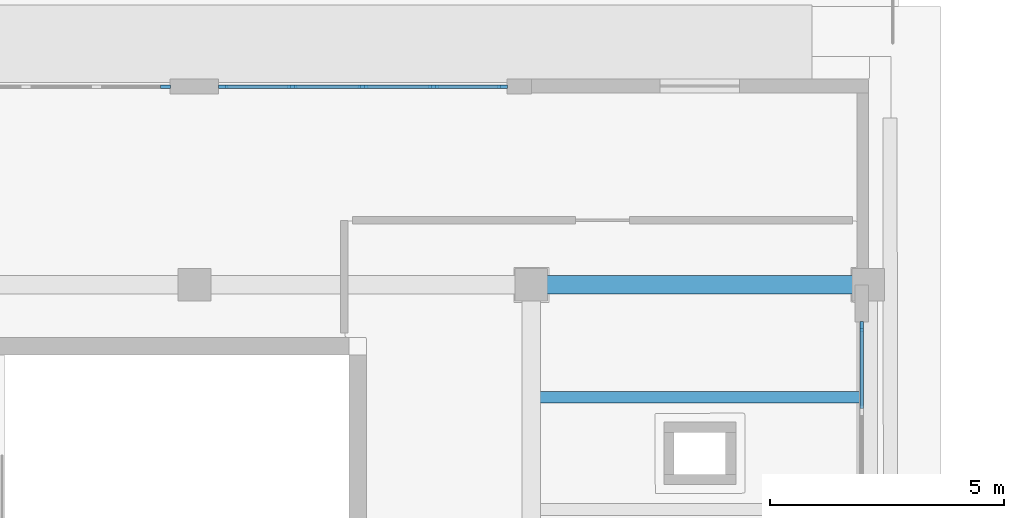
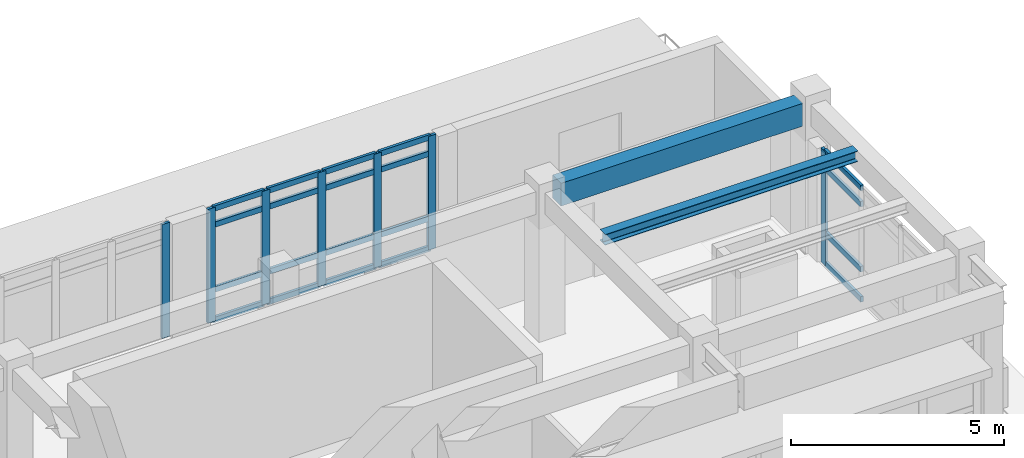
# One storey, part 21 of 55: 27 members, 2 beams, 3 elements without a shape of their own.
"""IFC4 building model written with IfcOpenShell, lengths in metres."""

from ifc_helpers import new_model, si_unit, direction, frame, origin, origin_2d, place, context, subcontext, project, spatial, rectangle, i_section, extrude, material, layer, layer_set, material_profile, profile_set, type_object, element, aggregate, save


model = new_model("IFC4")

# Units and contexts
model_context = context("Model", 3, precision=1e-05, world=origin(), true_north=direction((0.0, 1.0)))
body_context = subcontext(model_context, "Body", "Model", "MODEL_VIEW")
ifc_project = project(units=[si_unit("LENGTHUNIT", "METRE"), si_unit("AREAUNIT", "SQUARE_METRE"), si_unit("VOLUMEUNIT", "CUBIC_METRE"), si_unit("PLANEANGLEUNIT", "RADIAN"), si_unit("MASSUNIT", "GRAM", prefix="KILO")], contexts=[model_context])

# Site, building, storey
site_placement = place(None, origin())
site = spatial("IfcSite", under=ifc_project, at=site_placement, CompositionType="ELEMENT")
building_placement = place(site_placement, origin())
building = spatial("IfcBuilding", under=site, at=building_placement, Name="Solenvale Faculty of Natural Sciences", CompositionType="ELEMENT")
storey_placement = place(building_placement, frame((0.0, 0.0, 22.5)))
storey = spatial("IfcBuildingStorey", under=building, at=storey_placement, Name="L05", CompositionType="ELEMENT", Elevation=22.5)

# Beams
ifc_material_1 = material(Name="Concrete 40 MPa", Category="concrete")
ifc_material_profile_1 = material_profile(ifc_material_1, rectangle(XDim=0.39990234375, YDim=0.64990234375, at=origin_2d()), Name="RC-BM-400x650")
ifc_profile_set_1 = profile_set([ifc_material_profile_1], Name="Concrete 40 MPa")
beam_type_1 = type_object("IfcBeamType", Name="BM-RC-400x650", PredefinedType="BEAM", material=ifc_profile_set_1)
beam_1_placement = place(storey_placement, frame((108.330078125, 28.800048828125, 3.89501953125), z_axis=(1.0, 0.0, 0.0), x_axis=(0.0, 1.0, 0.0)))
element("IfcBeam", 1, at=beam_1_placement, inside=storey, type_object=beam_type_1, Name="L05 X-Girder Y28.8 (108.0..115.2)", PredefinedType="BEAM", context=body_context, shape_type="SweptSolid", body=[
    extrude(rectangle(XDim=0.39990234375, YDim=0.64990234375, at=origin_2d()), origin(), (0.0, 0.0, 1.0), 6.5400390625),
])
ifc_material_2 = material(Name="Steel S355", Category="steel")
ifc_material_profile_2 = material_profile(ifc_material_2, i_section(OverallWidth=0.25390625, OverallDepth=0.305908203125, WebThickness=0.0087890625, FlangeThickness=0.0146484375, FilletRadius=0.014892578125, at=origin_2d()), Name="W310x79")
ifc_profile_set_2 = profile_set([ifc_material_profile_2], Name="Steel S355")
beam_type_2 = type_object("IfcBeamType", Name="BM-STL-W310x79", PredefinedType="JOIST", material=ifc_profile_set_2)
beam_2_placement = place(storey_placement, frame((108.179931640625, 26.39990234375, 4.06689453125), z_axis=(1.0, 0.0, 0.0), x_axis=(0.0, 1.0, 0.0)))
element("IfcBeam", 2, at=beam_2_placement, inside=storey, type_object=beam_type_2, Name="L05 Composite Floor Joist (16,4).2", PredefinedType="JOIST", context=body_context, shape_type="SweptSolid", body=[
    extrude(i_section(OverallWidth=0.25390625, OverallDepth=0.305908203125, WebThickness=0.0087890625, FlangeThickness=0.0146484375, FilletRadius=0.014892578125, at=origin_2d()), origin(), (0.0, 0.0, 1.0), 6.840087890625),
])

# Curtain wall, member
ifc_material_3 = material(Name="Anodised bronze aluminium", Category="aluminium")
ifc_layer_1 = layer(ifc_material_3, 0.179931640625)
ifc_layer_set_1 = layer_set([ifc_layer_1], Name="Anodised bronze aluminium")
curtain_wall_type_1 = type_object("IfcCurtainWallType", Name="CW-TWR-MOD", PredefinedType="USERDEFINED", material=ifc_layer_set_1)
curtain_wall_1_placement = place(storey_placement, origin())
curtain_wall_1 = element("IfcCurtainWall", 3, at=curtain_wall_1_placement, inside=storey, type_object=curtain_wall_type_1, Name="L05 Curtain Wall CW-L05-P1-E1-B2", ObjectType="UNITISED CURTAIN WALL", PredefinedType="USERDEFINED")
ifc_material_profile_3 = material_profile(ifc_material_3, rectangle(XDim=0.074951171875, YDim=0.2099609375, at=origin_2d()), Name="ALU-MUL-75x210")
ifc_profile_set_3 = profile_set([ifc_material_profile_3], Name="Anodised bronze aluminium")
member_type_1 = type_object("IfcMemberType", Name="CWM-ALU-75x210", PredefinedType="MULLION", material=ifc_profile_set_3)
member_1_placement = place(storey_placement, frame((115.0576171875, 27.91259765625, 0.0), z_axis=(0.0, 0.0, 1.0), x_axis=(-1.0, 0.0, 0.0)))
member_1 = element("IfcMember", 4, at=member_1_placement, type_object=member_type_1, Name="CW-04 mullion 4", PredefinedType="MULLION", context=body_context, shape_type="SweptSolid", body=[
    extrude(rectangle(XDim=0.074951171875, YDim=0.2099609375, at=origin_2d()), origin(), (0.0, 0.0, 1.0), 3.260009765625),
])

# Curtain wall, members
ifc_layer_2 = layer(ifc_material_3, 0.18994140625)
ifc_layer_set_2 = layer_set([ifc_layer_2], Name="Anodised bronze aluminium")
curtain_wall_type_2 = type_object("IfcCurtainWallType", Name="CW-TRAY-REC", PredefinedType="USERDEFINED", material=ifc_layer_set_2)
curtain_wall_2_placement = place(storey_placement, origin())
curtain_wall_2 = element("IfcCurtainWall", 5, at=curtain_wall_2_placement, inside=storey, type_object=curtain_wall_type_2, Name="L05 Curtain Wall CW-L05-P1-E2-B2", ObjectType="UNITISED CURTAIN WALL", PredefinedType="USERDEFINED")
member_2_placement = place(storey_placement, frame((107.382568359375, 33.03759765625, 0.0), z_axis=(0.0, 0.0, 1.0), x_axis=(0.0, -1.0, 0.0)))
member_2 = element("IfcMember", 6, at=member_2_placement, type_object=member_type_1, Name="CW-02 mullion 1", PredefinedType="MULLION", context=body_context, shape_type="SweptSolid", body=[
    extrude(rectangle(XDim=0.074951171875, YDim=0.2099609375, at=origin_2d()), origin(), (0.0, 0.0, 1.0), 3.260009765625),
])
member_3_placement = place(storey_placement, frame((105.909912109375, 33.03759765625, 0.0), z_axis=(0.0, 0.0, 1.0), x_axis=(0.0, -1.0, 0.0)))
member_3 = element("IfcMember", 7, at=member_3_placement, type_object=member_type_1, Name="CW-02 mullion 2", PredefinedType="MULLION", context=body_context, shape_type="SweptSolid", body=[
    extrude(rectangle(XDim=0.074951171875, YDim=0.2099609375, at=origin_2d()), origin(), (0.0, 0.0, 1.0), 3.260009765625),
])
member_4_placement = place(storey_placement, frame((104.39990234375, 33.03759765625, 0.0), z_axis=(0.0, 0.0, 1.0), x_axis=(0.0, -1.0, 0.0)))
member_4 = element("IfcMember", 8, at=member_4_placement, type_object=member_type_1, Name="CW-02 mullion 3", PredefinedType="MULLION", context=body_context, shape_type="SweptSolid", body=[
    extrude(rectangle(XDim=0.074951171875, YDim=0.2099609375, at=origin_2d()), origin(), (0.0, 0.0, 1.0), 3.260009765625),
])
member_5_placement = place(storey_placement, frame((102.889892578125, 33.03759765625, 0.0), z_axis=(0.0, 0.0, 1.0), x_axis=(0.0, -1.0, 0.0)))
member_5 = element("IfcMember", 9, at=member_5_placement, type_object=member_type_1, Name="CW-02 mullion 4", PredefinedType="MULLION", context=body_context, shape_type="SweptSolid", body=[
    extrude(rectangle(XDim=0.074951171875, YDim=0.2099609375, at=origin_2d()), origin(), (0.0, 0.0, 1.0), 3.260009765625),
])
member_6_placement = place(storey_placement, frame((101.41748046875, 33.03759765625, 0.0), z_axis=(0.0, 0.0, 1.0), x_axis=(0.0, -1.0, 0.0)))
member_6 = element("IfcMember", 10, at=member_6_placement, type_object=member_type_1, Name="CW-02 mullion 5", PredefinedType="MULLION", context=body_context, shape_type="SweptSolid", body=[
    extrude(rectangle(XDim=0.074951171875, YDim=0.2099609375, at=origin_2d()), origin(), (0.0, 0.0, 1.0), 3.260009765625),
])

# Curtain wall, member
curtain_wall_3_placement = place(storey_placement, origin())
curtain_wall_3 = element("IfcCurtainWall", 11, at=curtain_wall_3_placement, inside=storey, type_object=curtain_wall_type_2, Name="L05 Curtain Wall CW-L05-P1-E2-B3", ObjectType="UNITISED CURTAIN WALL", PredefinedType="USERDEFINED")
member_7_placement = place(storey_placement, frame((100.1826171875, 33.03759765625, 0.0), z_axis=(0.0, 0.0, 1.0), x_axis=(0.0, -1.0, 0.0)))
member_7 = element("IfcMember", 12, at=member_7_placement, type_object=member_type_1, Name="CW-02 mullion 1", PredefinedType="MULLION", context=body_context, shape_type="SweptSolid", body=[
    extrude(rectangle(XDim=0.074951171875, YDim=0.2099609375, at=origin_2d()), origin(), (0.0, 0.0, 1.0), 3.260009765625),
])
aggregate(curtain_wall_3, [member_7])

# Member
ifc_material_profile_4 = material_profile(ifc_material_3, rectangle(XDim=0.074951171875, YDim=0.155029296875, at=origin_2d()), Name="ALU-TRN-75x155")
ifc_profile_set_4 = profile_set([ifc_material_profile_4], Name="Anodised bronze aluminium")
member_type_2 = type_object("IfcMemberType", Name="CWT-ALU-75x155", PredefinedType="USERDEFINED", material=ifc_profile_set_4)
member_8_placement = place(storey_placement, frame((115.0576171875, 26.154052734375, 0.03759765625), z_axis=(0.0, 1.0, 0.0), x_axis=(-1.0, 0.0, 0.0)))
member_8 = element("IfcMember", 13, at=member_8_placement, type_object=member_type_2, Name="CW-04 transom 3.1", ObjectType="TRANSOM", PredefinedType="USERDEFINED", context=body_context, shape_type="SweptSolid", body=[
    extrude(rectangle(XDim=0.074951171875, YDim=0.155029296875, at=origin_2d()), origin(), (0.0, 0.0, 1.0), 1.720947265625),
])

member_9_placement = place(storey_placement, frame((115.0576171875, 26.154052734375, 0.89990234375), z_axis=(0.0, 1.0, 0.0), x_axis=(-1.0, 0.0, 0.0)))
member_9 = element("IfcMember", 14, at=member_9_placement, type_object=member_type_2, Name="CW-04 transom 3.2", ObjectType="TRANSOM", PredefinedType="USERDEFINED", context=body_context, shape_type="SweptSolid", body=[
    extrude(rectangle(XDim=0.074951171875, YDim=0.155029296875, at=origin_2d()), origin(), (0.0, 0.0, 1.0), 1.720947265625),
])

member_10_placement = place(storey_placement, frame((115.0576171875, 26.154052734375, 2.760009765625), z_axis=(0.0, 1.0, 0.0), x_axis=(-1.0, 0.0, 0.0)))
member_10 = element("IfcMember", 15, at=member_10_placement, type_object=member_type_2, Name="CW-04 transom 3.3", ObjectType="TRANSOM", PredefinedType="USERDEFINED", context=body_context, shape_type="SweptSolid", body=[
    extrude(rectangle(XDim=0.074951171875, YDim=0.155029296875, at=origin_2d()), origin(), (0.0, 0.0, 1.0), 1.720947265625),
])

member_11_placement = place(storey_placement, frame((115.0576171875, 26.154052734375, 3.222412109375), z_axis=(0.0, 1.0, 0.0), x_axis=(-1.0, 0.0, 0.0)))
member_11 = element("IfcMember", 16, at=member_11_placement, type_object=member_type_2, Name="CW-04 transom 3.4", ObjectType="TRANSOM", PredefinedType="USERDEFINED", context=body_context, shape_type="SweptSolid", body=[
    extrude(rectangle(XDim=0.074951171875, YDim=0.155029296875, at=origin_2d()), origin(), (0.0, 0.0, 1.0), 1.720947265625),
])

aggregate(curtain_wall_1, [member_1, member_8, member_9, member_10, member_11])

member_12_placement = place(storey_placement, frame((107.344970703125, 33.03759765625, 0.03759765625), z_axis=(-1.0, 0.0, 0.0), x_axis=(0.0, -1.0, 0.0)))
member_12 = element("IfcMember", 17, at=member_12_placement, type_object=member_type_2, Name="CW-02 transom 1.1", ObjectType="TRANSOM", PredefinedType="USERDEFINED", context=body_context, shape_type="SweptSolid", body=[
    extrude(rectangle(XDim=0.074951171875, YDim=0.155029296875, at=origin_2d()), origin(), (0.0, 0.0, 1.0), 1.3974609375),
])

member_13_placement = place(storey_placement, frame((107.344970703125, 33.03759765625, 0.89990234375), z_axis=(-1.0, 0.0, 0.0), x_axis=(0.0, -1.0, 0.0)))
member_13 = element("IfcMember", 18, at=member_13_placement, type_object=member_type_2, Name="CW-02 transom 1.2", ObjectType="TRANSOM", PredefinedType="USERDEFINED", context=body_context, shape_type="SweptSolid", body=[
    extrude(rectangle(XDim=0.074951171875, YDim=0.155029296875, at=origin_2d()), origin(), (0.0, 0.0, 1.0), 1.3974609375),
])

member_14_placement = place(storey_placement, frame((107.344970703125, 33.03759765625, 2.760009765625), z_axis=(-1.0, 0.0, 0.0), x_axis=(0.0, -1.0, 0.0)))
member_14 = element("IfcMember", 19, at=member_14_placement, type_object=member_type_2, Name="CW-02 transom 1.3", ObjectType="TRANSOM", PredefinedType="USERDEFINED", context=body_context, shape_type="SweptSolid", body=[
    extrude(rectangle(XDim=0.074951171875, YDim=0.155029296875, at=origin_2d()), origin(), (0.0, 0.0, 1.0), 1.3974609375),
])

member_15_placement = place(storey_placement, frame((107.344970703125, 33.03759765625, 3.222412109375), z_axis=(-1.0, 0.0, 0.0), x_axis=(0.0, -1.0, 0.0)))
member_15 = element("IfcMember", 20, at=member_15_placement, type_object=member_type_2, Name="CW-02 transom 1.4", ObjectType="TRANSOM", PredefinedType="USERDEFINED", context=body_context, shape_type="SweptSolid", body=[
    extrude(rectangle(XDim=0.074951171875, YDim=0.155029296875, at=origin_2d()), origin(), (0.0, 0.0, 1.0), 1.3974609375),
])

member_16_placement = place(storey_placement, frame((105.87255859375, 33.03759765625, 0.03759765625), z_axis=(-1.0, 0.0, 0.0), x_axis=(0.0, -1.0, 0.0)))
member_16 = element("IfcMember", 21, at=member_16_placement, type_object=member_type_2, Name="CW-02 transom 2.1", ObjectType="TRANSOM", PredefinedType="USERDEFINED", context=body_context, shape_type="SweptSolid", body=[
    extrude(rectangle(XDim=0.074951171875, YDim=0.155029296875, at=origin_2d()), origin(), (0.0, 0.0, 1.0), 1.43505859375),
])

member_17_placement = place(storey_placement, frame((105.87255859375, 33.03759765625, 0.89990234375), z_axis=(-1.0, 0.0, 0.0), x_axis=(0.0, -1.0, 0.0)))
member_17 = element("IfcMember", 22, at=member_17_placement, type_object=member_type_2, Name="CW-02 transom 2.2", ObjectType="TRANSOM", PredefinedType="USERDEFINED", context=body_context, shape_type="SweptSolid", body=[
    extrude(rectangle(XDim=0.074951171875, YDim=0.155029296875, at=origin_2d()), origin(), (0.0, 0.0, 1.0), 1.43505859375),
])

member_18_placement = place(storey_placement, frame((105.87255859375, 33.03759765625, 2.760009765625), z_axis=(-1.0, 0.0, 0.0), x_axis=(0.0, -1.0, 0.0)))
member_18 = element("IfcMember", 23, at=member_18_placement, type_object=member_type_2, Name="CW-02 transom 2.3", ObjectType="TRANSOM", PredefinedType="USERDEFINED", context=body_context, shape_type="SweptSolid", body=[
    extrude(rectangle(XDim=0.074951171875, YDim=0.155029296875, at=origin_2d()), origin(), (0.0, 0.0, 1.0), 1.43505859375),
])

member_19_placement = place(storey_placement, frame((105.87255859375, 33.03759765625, 3.222412109375), z_axis=(-1.0, 0.0, 0.0), x_axis=(0.0, -1.0, 0.0)))
member_19 = element("IfcMember", 24, at=member_19_placement, type_object=member_type_2, Name="CW-02 transom 2.4", ObjectType="TRANSOM", PredefinedType="USERDEFINED", context=body_context, shape_type="SweptSolid", body=[
    extrude(rectangle(XDim=0.074951171875, YDim=0.155029296875, at=origin_2d()), origin(), (0.0, 0.0, 1.0), 1.43505859375),
])

member_20_placement = place(storey_placement, frame((104.362548828125, 33.03759765625, 0.03759765625), z_axis=(-1.0, 0.0, 0.0), x_axis=(0.0, -1.0, 0.0)))
member_20 = element("IfcMember", 25, at=member_20_placement, type_object=member_type_2, Name="CW-02 transom 3.1", ObjectType="TRANSOM", PredefinedType="USERDEFINED", context=body_context, shape_type="SweptSolid", body=[
    extrude(rectangle(XDim=0.074951171875, YDim=0.155029296875, at=origin_2d()), origin(), (0.0, 0.0, 1.0), 1.43505859375),
])

member_21_placement = place(storey_placement, frame((104.362548828125, 33.03759765625, 0.89990234375), z_axis=(-1.0, 0.0, 0.0), x_axis=(0.0, -1.0, 0.0)))
member_21 = element("IfcMember", 26, at=member_21_placement, type_object=member_type_2, Name="CW-02 transom 3.2", ObjectType="TRANSOM", PredefinedType="USERDEFINED", context=body_context, shape_type="SweptSolid", body=[
    extrude(rectangle(XDim=0.074951171875, YDim=0.155029296875, at=origin_2d()), origin(), (0.0, 0.0, 1.0), 1.43505859375),
])

member_22_placement = place(storey_placement, frame((104.362548828125, 33.03759765625, 2.760009765625), z_axis=(-1.0, 0.0, 0.0), x_axis=(0.0, -1.0, 0.0)))
member_22 = element("IfcMember", 27, at=member_22_placement, type_object=member_type_2, Name="CW-02 transom 3.3", ObjectType="TRANSOM", PredefinedType="USERDEFINED", context=body_context, shape_type="SweptSolid", body=[
    extrude(rectangle(XDim=0.074951171875, YDim=0.155029296875, at=origin_2d()), origin(), (0.0, 0.0, 1.0), 1.43505859375),
])

member_23_placement = place(storey_placement, frame((104.362548828125, 33.03759765625, 3.222412109375), z_axis=(-1.0, 0.0, 0.0), x_axis=(0.0, -1.0, 0.0)))
member_23 = element("IfcMember", 28, at=member_23_placement, type_object=member_type_2, Name="CW-02 transom 3.4", ObjectType="TRANSOM", PredefinedType="USERDEFINED", context=body_context, shape_type="SweptSolid", body=[
    extrude(rectangle(XDim=0.074951171875, YDim=0.155029296875, at=origin_2d()), origin(), (0.0, 0.0, 1.0), 1.43505859375),
])

member_24_placement = place(storey_placement, frame((102.8525390625, 33.03759765625, 0.03759765625), z_axis=(-1.0, 0.0, 0.0), x_axis=(0.0, -1.0, 0.0)))
member_24 = element("IfcMember", 29, at=member_24_placement, type_object=member_type_2, Name="CW-02 transom 4.1", ObjectType="TRANSOM", PredefinedType="USERDEFINED", context=body_context, shape_type="SweptSolid", body=[
    extrude(rectangle(XDim=0.074951171875, YDim=0.155029296875, at=origin_2d()), origin(), (0.0, 0.0, 1.0), 1.3974609375),
])

member_25_placement = place(storey_placement, frame((102.8525390625, 33.03759765625, 0.89990234375), z_axis=(-1.0, 0.0, 0.0), x_axis=(0.0, -1.0, 0.0)))
member_25 = element("IfcMember", 30, at=member_25_placement, type_object=member_type_2, Name="CW-02 transom 4.2", ObjectType="TRANSOM", PredefinedType="USERDEFINED", context=body_context, shape_type="SweptSolid", body=[
    extrude(rectangle(XDim=0.074951171875, YDim=0.155029296875, at=origin_2d()), origin(), (0.0, 0.0, 1.0), 1.3974609375),
])

member_26_placement = place(storey_placement, frame((102.8525390625, 33.03759765625, 2.760009765625), z_axis=(-1.0, 0.0, 0.0), x_axis=(0.0, -1.0, 0.0)))
member_26 = element("IfcMember", 31, at=member_26_placement, type_object=member_type_2, Name="CW-02 transom 4.3", ObjectType="TRANSOM", PredefinedType="USERDEFINED", context=body_context, shape_type="SweptSolid", body=[
    extrude(rectangle(XDim=0.074951171875, YDim=0.155029296875, at=origin_2d()), origin(), (0.0, 0.0, 1.0), 1.3974609375),
])

member_27_placement = place(storey_placement, frame((102.8525390625, 33.03759765625, 3.222412109375), z_axis=(-1.0, 0.0, 0.0), x_axis=(0.0, -1.0, 0.0)))
member_27 = element("IfcMember", 32, at=member_27_placement, type_object=member_type_2, Name="CW-02 transom 4.4", ObjectType="TRANSOM", PredefinedType="USERDEFINED", context=body_context, shape_type="SweptSolid", body=[
    extrude(rectangle(XDim=0.074951171875, YDim=0.155029296875, at=origin_2d()), origin(), (0.0, 0.0, 1.0), 1.3974609375),
])

aggregate(curtain_wall_2, [member_2, member_3, member_4, member_5, member_6, member_12, member_13, member_14, member_15, member_16, member_17, member_18, member_19, member_20, member_21, member_22, member_23, member_24, member_25, member_26, member_27])

save(model, "model.ifc")
